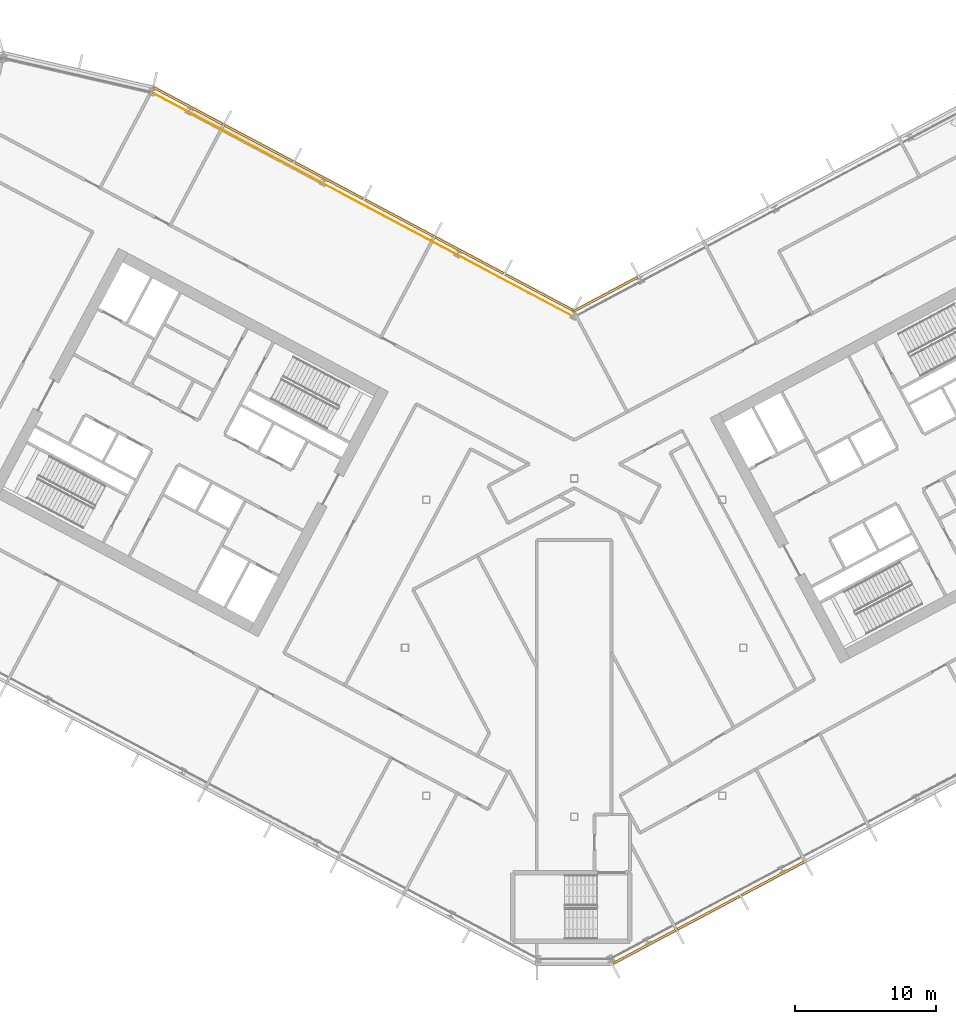
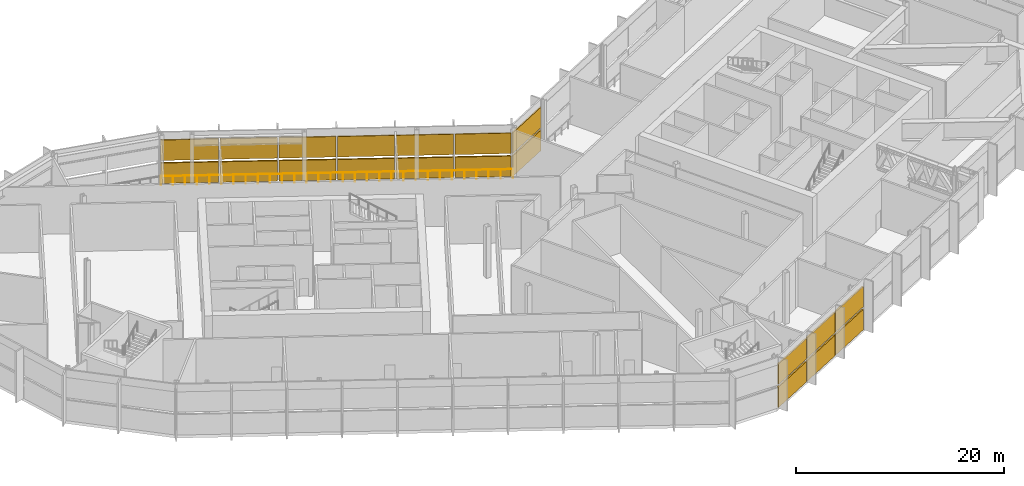
# One storey, part 27 of 33: 20 shading devices, 1 railing, 3 elements without a shape of their own.
"""IFC4 building model written with IfcOpenShell, lengths in metres."""

import ifcopenshell
import ifcopenshell.guid

model = None  # the IFC model being written
_history = None  # IfcOwnerHistory: only IFC2X3 demands one
_inside = {}  # id of a spatial element -> (the spatial element, [elements in it])
_under = {}  # id of a project, library or spatial element -> (it, [spatial elements below it])
_declared = {}  # id of a project -> (the project, [libraries it declares])
_typed = {}  # id of a type object -> (the type object, [elements of that type])
_made_of = {}  # id of a material, layer set ... -> (it, [elements and type objects made of it])


def new_model(schema):
    """Start an empty IFC model of exactly this schema.

    Asked for "IFC4X3", IfcOpenShell would pick the latest addendum, in which some entities
    have other attributes; the version numbers below select the first issue.
    IFC2X3 requires an IfcOwnerHistory on every rooted entity: one is made here for all.
    """
    global model, _history
    if schema == "IFC4X3":
        model = ifcopenshell.file(schema_version=(4, 3, 0, 0))
    else:
        model = ifcopenshell.file(schema=schema)
    _inside.clear()
    _under.clear()
    _declared.clear()
    _typed.clear()
    _made_of.clear()
    _history = None
    if model.schema == "IFC2X3":
        org = make("IfcOrganization", Name="unknown")
        user = make(
            "IfcPersonAndOrganization",
            ThePerson=make("IfcPerson", FamilyName="unknown"),
            TheOrganization=org,
        )
        app = make(
            "IfcApplication",
            ApplicationDeveloper=org,
            Version="unknown",
            ApplicationFullName="unknown",
            ApplicationIdentifier="unknown",
        )
        _history = make(
            "IfcOwnerHistory",
            OwningUser=user,
            OwningApplication=app,
            ChangeAction="ADDED",
            CreationDate=0,
        )
    return model


def make(cls, **values):
    """One entity of the class cls with the attributes given. An attribute that is None is left unset."""
    return model.create_entity(
        cls, **{name: value for name, value in values.items() if value is not None}
    )


def rooted(cls, **values):
    """An entity with a GlobalId (a new one), such as an element, a storey or a relation."""
    return make(cls, GlobalId=ifcopenshell.guid.new(), OwnerHistory=_history, **values)


def si_unit(unit_type, name, prefix=None):
    """IfcSIUnit, for example si_unit("LENGTHUNIT", "METRE", prefix="MILLI")."""
    return make("IfcSIUnit", UnitType=unit_type, Prefix=prefix, Name=name)


def assignment(units):
    """IfcUnitAssignment: the units of a project."""
    return None if units is None else make("IfcUnitAssignment", Units=units)


def point(xyz):
    """IfcCartesianPoint."""
    return None if xyz is None else make("IfcCartesianPoint", Coordinates=xyz)


def direction(xyz):
    """IfcDirection."""
    return None if xyz is None else make("IfcDirection", DirectionRatios=xyz)


def frame(location, z_axis=None, x_axis=None):
    """IfcAxis2Placement3D, a coordinate frame: its origin and axes. An axis left out is left unset."""
    return make(
        "IfcAxis2Placement3D",
        Location=point(location),
        Axis=direction(z_axis),
        RefDirection=direction(x_axis),
    )


def frame_2d(location, x_axis=None):
    """IfcAxis2Placement2D, a coordinate frame in the plane: its origin and x axis."""
    return make(
        "IfcAxis2Placement2D", Location=point(location), RefDirection=direction(x_axis)
    )


def origin():
    """The frame at (0, 0, 0) with its axes left unset."""
    return frame((0.0, 0.0, 0.0))


def origin_2d():
    """The frame at (0, 0) in the plane with its x axis left unset."""
    return frame_2d((0.0, 0.0))


def place(relative_to, where):
    """IfcLocalPlacement: puts the frame where relative to a parent placement (None: the world)."""
    return make(
        "IfcLocalPlacement", PlacementRelTo=relative_to, RelativePlacement=where
    )


def context(
    kind, dimensions, precision=None, world=None, true_north=None, identifier=None
):
    """IfcGeometricRepresentationContext, for example the 3D "Model" context."""
    return make(
        "IfcGeometricRepresentationContext",
        ContextIdentifier=identifier,
        ContextType=kind,
        CoordinateSpaceDimension=dimensions,
        Precision=precision,
        WorldCoordinateSystem=world,
        TrueNorth=true_north,
    )


def subcontext(parent, identifier, kind, view, scale=None):
    """IfcGeometricRepresentationSubContext, for example "Body" below "Model"."""
    return make(
        "IfcGeometricRepresentationSubContext",
        ContextIdentifier=identifier,
        ContextType=kind,
        ParentContext=parent,
        TargetScale=scale,
        TargetView=view,
    )


def project(units=None, contexts=None):
    """IfcProject with its units and contexts."""
    return rooted(
        "IfcProject",
        Name="project",
        RepresentationContexts=contexts,
        UnitsInContext=assignment(units),
    )


def spatial(cls, under=None, at=None, **own):
    """A site, building, storey or space (cls), placed at a placement, below another one or the project."""
    s = rooted(cls, ObjectPlacement=at, **own)
    if under is not None:
        _under.setdefault(under.id(), (under, []))[1].append(s)
    return s


def polyline(points):
    """IfcPolyline through the points."""
    return make("IfcPolyline", Points=[point(p) for p in points])


def profile(cls, at=None, kind="AREA", **sizes):
    """A parametric profile (cls). Its sizes go by their IFC names, for example OverallWidth=200.0."""
    return make(cls, ProfileType=kind, Position=at, **sizes)


def rectangle(**sizes):
    """IfcRectangleProfileDef."""
    return profile("IfcRectangleProfileDef", **sizes)


def outline(outer, holes=None, kind="AREA"):
    """IfcArbitraryClosedProfileDef: a profile drawn as a closed curve; with holes, ...WithVoids."""
    if holes is None:
        return make("IfcArbitraryClosedProfileDef", ProfileType=kind, OuterCurve=outer)
    return make(
        "IfcArbitraryProfileDefWithVoids",
        ProfileType=kind,
        OuterCurve=outer,
        InnerCurves=holes,
    )


def extrude(swept, where, along, depth):
    """IfcExtrudedAreaSolid: the profile swept, set in the frame where, extruded along a direction by depth."""
    return make(
        "IfcExtrudedAreaSolid",
        SweptArea=swept,
        Position=where,
        ExtrudedDirection=direction(along),
        Depth=depth,
    )


def shape(context_of_items, identifier, shape_type, items):
    """IfcShapeRepresentation: the items that make up one representation, for example the "Body"."""
    return make(
        "IfcShapeRepresentation",
        ContextOfItems=context_of_items,
        RepresentationIdentifier=identifier,
        RepresentationType=shape_type,
        Items=items,
    )


def material(Name=None, Category=None):
    """IfcMaterial."""
    return make("IfcMaterial", Name=Name, Category=Category)


def layer(
    of_material, thickness, ventilated=None, Name=None, Category=None, Priority=None
):
    """IfcMaterialLayer: one layer of a wall or slab, of a material (None: an air gap)."""
    return make(
        "IfcMaterialLayer",
        Material=of_material,
        LayerThickness=thickness,
        IsVentilated=ventilated,
        Name=Name,
        Category=Category,
        Priority=Priority,
    )


def layer_set(layers, Name=None):
    """IfcMaterialLayerSet."""
    return make("IfcMaterialLayerSet", MaterialLayers=layers, LayerSetName=Name)


def made_of(thing, what):
    """Note that an element or type object is made of a material, layer set ...; save() writes the relation."""
    if what is not None:
        _made_of.setdefault(what.id(), (what, []))[1].append(thing)
    return thing


def type_object(cls, material=None, **own):
    """A type object (cls), such as IfcWallType, which elements share."""
    return made_of(rooted(cls, **own), material)


def element(
    cls,
    number,
    at=None,
    inside=None,
    cuts=None,
    type_object=None,
    material=None,
    context=None,
    identifier="Body",
    shape_type=None,
    held_by="IfcProductDefinitionShape",
    body=None,
    shapes=None,
    **own,
):
    """One element of the class cls, such as IfcWall. Its Tag is "e" and its number.

    at: its placement. inside: the storey or other place that contains it. cuts: it is an
    opening in that element (IfcRelVoidsElement). A single representation is given by context,
    identifier, shape_type and body (its items); several are given by shapes. held_by: the class
    of the entity that holds the representations. save() writes the other relations.
    """
    e = rooted(cls, Tag="e%d" % number, ObjectPlacement=at, **own)
    if body is not None:
        shapes = [shape(context, identifier, shape_type, body)]
    if shapes is not None:
        e.Representation = make(held_by, Representations=shapes)
    if inside is not None:
        _inside.setdefault(inside.id(), (inside, []))[1].append(e)
    if cuts is not None:
        rooted(
            "IfcRelVoidsElement", RelatingBuildingElement=cuts, RelatedOpeningElement=e
        )
    if type_object is not None:
        _typed.setdefault(type_object.id(), (type_object, []))[1].append(e)
    return made_of(e, material)


def aggregate(whole, parts):
    """IfcRelAggregates: a whole, such as a stair, and the parts it consists of."""
    return rooted("IfcRelAggregates", RelatingObject=whole, RelatedObjects=parts)


def save(model, path):
    """Write the relations noted so far, then the file.

    IfcRelAggregates (storeys below a building ...), IfcRelContainedInSpatialStructure (elements
    in a storey), IfcRelDefinesByType, IfcRelAssociatesMaterial and IfcRelDeclares: one each for
    every whole, place, type object, material and project.
    """
    for whole, parts in _under.values():
        aggregate(whole, parts)
    for where, things in _inside.values():
        rooted(
            "IfcRelContainedInSpatialStructure",
            RelatedElements=things,
            RelatingStructure=where,
        )
    for kind, things in _typed.values():
        rooted("IfcRelDefinesByType", RelatedObjects=things, RelatingType=kind)
    for what, things in _made_of.values():
        rooted("IfcRelAssociatesMaterial", RelatedObjects=things, RelatingMaterial=what)
    for by, libraries in _declared.values():
        rooted("IfcRelDeclares", RelatingContext=by, RelatedDefinitions=libraries)
    model.write(path)


model = new_model("IFC4")

# Units and contexts
model_context = context("Model", 3, precision=1e-05, world=origin(), true_north=direction((0.0, 1.0)))
body_context = subcontext(model_context, "Body", "Model", "MODEL_VIEW")
ifc_project = project(units=[si_unit("LENGTHUNIT", "METRE"), si_unit("AREAUNIT", "SQUARE_METRE"), si_unit("VOLUMEUNIT", "CUBIC_METRE"), si_unit("PLANEANGLEUNIT", "RADIAN"), si_unit("MASSUNIT", "GRAM", prefix="KILO")], contexts=[model_context])

# Site, building, storey
site_placement = place(None, origin())
site = spatial("IfcSite", under=ifc_project, at=site_placement, CompositionType="ELEMENT")
building_placement = place(site_placement, origin())
building = spatial("IfcBuilding", under=site, at=building_placement, Name="Cormorant Relay Tower", CompositionType="ELEMENT")
storey_placement = place(building_placement, frame((0.0, 0.0, 183.60009765625)))
storey = spatial("IfcBuildingStorey", under=building, at=storey_placement, Name="L39", CompositionType="ELEMENT", Elevation=183.60009765625)

# Railing
ifc_material_1 = material(Name="Stainless steel 316 guard", Category="steel")
railing_type = type_object("IfcRailingType", Name="Band louvre guard 1100", PredefinedType="GUARDRAIL", material=ifc_material_1)
railing_placement = place(storey_placement, frame((-0.140869140625, 23.51904296875, 0.0)))
element("IfcRailing", 1, at=railing_placement, inside=storey, type_object=railing_type, Name="CW4 guard 9", PredefinedType="GUARDRAIL", context=body_context, shape_type="SweptSolid", body=[
    extrude(outline(polyline([(0.022216796875, 0.00927734375), (0.00927734375, 0.022216796875), (-0.00927734375, 0.022216796875), (-0.022216796875, 0.00927734375), (-0.022216796875, -0.00927734375), (-0.00927734375, -0.022216796875), (0.00927734375, -0.022216796875), (0.022216796875, -0.00927734375), (0.022216796875, 0.00927734375)])), frame((0.0, 0.0, 1.076171875), z_axis=(-0.882946280328, 0.46947403129, 0.0), x_axis=(-0.46947403129, -0.882946280328, 0.0)), (0.0, 0.0, 1.0), 33.834228515625),
    extrude(outline(polyline([(0.019287109375, 0.008056640625), (0.008056640625, 0.019287109375), (-0.008056640625, 0.019287109375), (-0.019287109375, 0.008056640625), (-0.019287109375, -0.008056640625), (-0.008056640625, -0.019287109375), (0.008056640625, -0.019287109375), (0.019287109375, -0.008056640625), (0.019287109375, 0.008056640625)])), origin(), (0.0, 0.0, 1.0), 1.052001953125),
    extrude(outline(polyline([(0.019287109375, 0.008056640625), (0.008056640625, 0.019287109375), (-0.008056640625, 0.019287109375), (-0.019287109375, 0.008056640625), (-0.019287109375, -0.008056640625), (-0.008056640625, -0.019287109375), (0.008056640625, -0.019287109375), (0.019287109375, -0.008056640625), (0.019287109375, 0.008056640625)])), frame((-1.030029296875, 0.5478515625, 0.0)), (0.0, 0.0, 1.0), 1.052001953125),
    extrude(outline(polyline([(0.019287109375, 0.008056640625), (0.008056640625, 0.019287109375), (-0.008056640625, 0.019287109375), (-0.019287109375, 0.008056640625), (-0.019287109375, -0.008056640625), (-0.008056640625, -0.019287109375), (0.008056640625, -0.019287109375), (0.019287109375, -0.008056640625), (0.019287109375, 0.008056640625)])), frame((-2.060302734375, 1.095458984375, 0.0)), (0.0, 0.0, 1.0), 1.052001953125),
    extrude(outline(polyline([(0.019287109375, 0.008056640625), (0.008056640625, 0.019287109375), (-0.008056640625, 0.019287109375), (-0.019287109375, 0.008056640625), (-0.019287109375, -0.008056640625), (-0.008056640625, -0.019287109375), (0.008056640625, -0.019287109375), (0.019287109375, -0.008056640625), (0.019287109375, 0.008056640625)])), frame((-3.09033203125, 1.643310546875, 0.0)), (0.0, 0.0, 1.0), 1.052001953125),
    extrude(outline(polyline([(0.019287109375, 0.008056640625), (0.008056640625, 0.019287109375), (-0.008056640625, 0.019287109375), (-0.019287109375, 0.008056640625), (-0.019287109375, -0.008056640625), (-0.008056640625, -0.019287109375), (0.008056640625, -0.019287109375), (0.019287109375, -0.008056640625), (0.019287109375, 0.008056640625)])), frame((-4.12060546875, 2.19091796875, 0.0)), (0.0, 0.0, 1.0), 1.052001953125),
    extrude(outline(polyline([(0.019287109375, 0.008056640625), (0.008056640625, 0.019287109375), (-0.008056640625, 0.019287109375), (-0.019287109375, 0.008056640625), (-0.019287109375, -0.008056640625), (-0.008056640625, -0.019287109375), (0.008056640625, -0.019287109375), (0.019287109375, -0.008056640625), (0.019287109375, 0.008056640625)])), frame((-5.150634765625, 2.73876953125, 0.0)), (0.0, 0.0, 1.0), 1.052001953125),
    extrude(outline(polyline([(0.019287109375, 0.008056640625), (0.008056640625, 0.019287109375), (-0.008056640625, 0.019287109375), (-0.019287109375, 0.008056640625), (-0.019287109375, -0.008056640625), (-0.008056640625, -0.019287109375), (0.008056640625, -0.019287109375), (0.019287109375, -0.008056640625), (0.019287109375, 0.008056640625)])), frame((-6.1806640625, 3.286376953125, 0.0)), (0.0, 0.0, 1.0), 1.052001953125),
    extrude(outline(polyline([(0.019287109375, 0.008056640625), (0.008056640625, 0.019287109375), (-0.008056640625, 0.019287109375), (-0.019287109375, 0.008056640625), (-0.019287109375, -0.008056640625), (-0.008056640625, -0.019287109375), (0.008056640625, -0.019287109375), (0.019287109375, -0.008056640625), (0.019287109375, 0.008056640625)])), frame((-7.2109375, 3.834228515625, 0.0)), (0.0, 0.0, 1.0), 1.052001953125),
    extrude(outline(polyline([(0.019287109375, 0.008056640625), (0.008056640625, 0.019287109375), (-0.008056640625, 0.019287109375), (-0.019287109375, 0.008056640625), (-0.019287109375, -0.008056640625), (-0.008056640625, -0.019287109375), (0.008056640625, -0.019287109375), (0.019287109375, -0.008056640625), (0.019287109375, 0.008056640625)])), frame((-8.240966796875, 4.3818359375, 0.0)), (0.0, 0.0, 1.0), 1.052001953125),
    extrude(outline(polyline([(0.019287109375, 0.008056640625), (0.008056640625, 0.019287109375), (-0.008056640625, 0.019287109375), (-0.019287109375, 0.008056640625), (-0.019287109375, -0.008056640625), (-0.008056640625, -0.019287109375), (0.008056640625, -0.019287109375), (0.019287109375, -0.008056640625), (0.019287109375, 0.008056640625)])), frame((-9.271240234375, 4.9296875, 0.0)), (0.0, 0.0, 1.0), 1.052001953125),
    extrude(outline(polyline([(0.019287109375, 0.008056640625), (0.008056640625, 0.019287109375), (-0.008056640625, 0.019287109375), (-0.019287109375, 0.008056640625), (-0.019287109375, -0.008056640625), (-0.008056640625, -0.019287109375), (0.008056640625, -0.019287109375), (0.019287109375, -0.008056640625), (0.019287109375, 0.008056640625)])), frame((-10.30126953125, 5.477294921875, 0.0)), (0.0, 0.0, 1.0), 1.052001953125),
    extrude(outline(polyline([(0.019287109375, 0.008056640625), (0.008056640625, 0.019287109375), (-0.008056640625, 0.019287109375), (-0.019287109375, 0.008056640625), (-0.019287109375, -0.008056640625), (-0.008056640625, -0.019287109375), (0.008056640625, -0.019287109375), (0.019287109375, -0.008056640625), (0.019287109375, 0.008056640625)])), frame((-11.33154296875, 6.025146484375, 0.0)), (0.0, 0.0, 1.0), 1.052001953125),
    extrude(outline(polyline([(0.019287109375, 0.008056640625), (0.008056640625, 0.019287109375), (-0.008056640625, 0.019287109375), (-0.019287109375, 0.008056640625), (-0.019287109375, -0.008056640625), (-0.008056640625, -0.019287109375), (0.008056640625, -0.019287109375), (0.019287109375, -0.008056640625), (0.019287109375, 0.008056640625)])), frame((-12.361572265625, 6.57275390625, 0.0)), (0.0, 0.0, 1.0), 1.052001953125),
    extrude(outline(polyline([(0.019287109375, 0.008056640625), (0.008056640625, 0.019287109375), (-0.008056640625, 0.019287109375), (-0.019287109375, 0.008056640625), (-0.019287109375, -0.008056640625), (-0.008056640625, -0.019287109375), (0.008056640625, -0.019287109375), (0.019287109375, -0.008056640625), (0.019287109375, 0.008056640625)])), frame((-13.3916015625, 7.12060546875, 0.0)), (0.0, 0.0, 1.0), 1.052001953125),
    extrude(outline(polyline([(0.019287109375, 0.008056640625), (0.008056640625, 0.019287109375), (-0.008056640625, 0.019287109375), (-0.019287109375, 0.008056640625), (-0.019287109375, -0.008056640625), (-0.008056640625, -0.019287109375), (0.008056640625, -0.019287109375), (0.019287109375, -0.008056640625), (0.019287109375, 0.008056640625)])), frame((-14.421875, 7.668212890625, 0.0)), (0.0, 0.0, 1.0), 1.052001953125),
    extrude(outline(polyline([(0.019287109375, 0.008056640625), (0.008056640625, 0.019287109375), (-0.008056640625, 0.019287109375), (-0.019287109375, 0.008056640625), (-0.019287109375, -0.008056640625), (-0.008056640625, -0.019287109375), (0.008056640625, -0.019287109375), (0.019287109375, -0.008056640625), (0.019287109375, 0.008056640625)])), frame((-15.451904296875, 8.216064453125, 0.0)), (0.0, 0.0, 1.0), 1.052001953125),
    extrude(outline(polyline([(0.019287109375, 0.008056640625), (0.008056640625, 0.019287109375), (-0.008056640625, 0.019287109375), (-0.019287109375, 0.008056640625), (-0.019287109375, -0.008056640625), (-0.008056640625, -0.019287109375), (0.008056640625, -0.019287109375), (0.019287109375, -0.008056640625), (0.019287109375, 0.008056640625)])), frame((-16.482177734375, 8.763671875, 0.0)), (0.0, 0.0, 1.0), 1.052001953125),
    extrude(outline(polyline([(0.019287109375, 0.008056640625), (0.008056640625, 0.019287109375), (-0.008056640625, 0.019287109375), (-0.019287109375, 0.008056640625), (-0.019287109375, -0.008056640625), (-0.008056640625, -0.019287109375), (0.008056640625, -0.019287109375), (0.019287109375, -0.008056640625), (0.019287109375, 0.008056640625)])), frame((-17.51220703125, 9.3115234375, 0.0)), (0.0, 0.0, 1.0), 1.052001953125),
    extrude(outline(polyline([(0.019287109375, 0.008056640625), (0.008056640625, 0.019287109375), (-0.008056640625, 0.019287109375), (-0.019287109375, 0.008056640625), (-0.019287109375, -0.008056640625), (-0.008056640625, -0.019287109375), (0.008056640625, -0.019287109375), (0.019287109375, -0.008056640625), (0.019287109375, 0.008056640625)])), frame((-18.542236328125, 9.859130859375, 0.0)), (0.0, 0.0, 1.0), 1.052001953125),
    extrude(outline(polyline([(0.019287109375, 0.008056640625), (0.008056640625, 0.019287109375), (-0.008056640625, 0.019287109375), (-0.019287109375, 0.008056640625), (-0.019287109375, -0.008056640625), (-0.008056640625, -0.019287109375), (0.008056640625, -0.019287109375), (0.019287109375, -0.008056640625), (0.019287109375, 0.008056640625)])), frame((-19.572509765625, 10.406982421875, 0.0)), (0.0, 0.0, 1.0), 1.052001953125),
    extrude(outline(polyline([(0.019287109375, 0.008056640625), (0.008056640625, 0.019287109375), (-0.008056640625, 0.019287109375), (-0.019287109375, 0.008056640625), (-0.019287109375, -0.008056640625), (-0.008056640625, -0.019287109375), (0.008056640625, -0.019287109375), (0.019287109375, -0.008056640625), (0.019287109375, 0.008056640625)])), frame((-20.6025390625, 10.95458984375, 0.0)), (0.0, 0.0, 1.0), 1.052001953125),
    extrude(outline(polyline([(0.019287109375, 0.008056640625), (0.008056640625, 0.019287109375), (-0.008056640625, 0.019287109375), (-0.019287109375, 0.008056640625), (-0.019287109375, -0.008056640625), (-0.008056640625, -0.019287109375), (0.008056640625, -0.019287109375), (0.019287109375, -0.008056640625), (0.019287109375, 0.008056640625)])), frame((-21.6328125, 11.50244140625, 0.0)), (0.0, 0.0, 1.0), 1.052001953125),
    extrude(outline(polyline([(0.019287109375, 0.008056640625), (0.008056640625, 0.019287109375), (-0.008056640625, 0.019287109375), (-0.019287109375, 0.008056640625), (-0.019287109375, -0.008056640625), (-0.008056640625, -0.019287109375), (0.008056640625, -0.019287109375), (0.019287109375, -0.008056640625), (0.019287109375, 0.008056640625)])), frame((-22.662841796875, 12.050048828125, 0.0)), (0.0, 0.0, 1.0), 1.052001953125),
    extrude(outline(polyline([(0.019287109375, 0.008056640625), (0.008056640625, 0.019287109375), (-0.008056640625, 0.019287109375), (-0.019287109375, 0.008056640625), (-0.019287109375, -0.008056640625), (-0.008056640625, -0.019287109375), (0.008056640625, -0.019287109375), (0.019287109375, -0.008056640625), (0.019287109375, 0.008056640625)])), frame((-23.693115234375, 12.597900390625, 0.0)), (0.0, 0.0, 1.0), 1.052001953125),
    extrude(outline(polyline([(0.019287109375, 0.008056640625), (0.008056640625, 0.019287109375), (-0.008056640625, 0.019287109375), (-0.019287109375, 0.008056640625), (-0.019287109375, -0.008056640625), (-0.008056640625, -0.019287109375), (0.008056640625, -0.019287109375), (0.019287109375, -0.008056640625), (0.019287109375, 0.008056640625)])), frame((-24.72314453125, 13.1455078125, 0.0)), (0.0, 0.0, 1.0), 1.052001953125),
    extrude(outline(polyline([(0.019287109375, 0.008056640625), (0.008056640625, 0.019287109375), (-0.008056640625, 0.019287109375), (-0.019287109375, 0.008056640625), (-0.019287109375, -0.008056640625), (-0.008056640625, -0.019287109375), (0.008056640625, -0.019287109375), (0.019287109375, -0.008056640625), (0.019287109375, 0.008056640625)])), frame((-25.753173828125, 13.693359375, 0.0)), (0.0, 0.0, 1.0), 1.052001953125),
    extrude(outline(polyline([(0.019287109375, 0.008056640625), (0.008056640625, 0.019287109375), (-0.008056640625, 0.019287109375), (-0.019287109375, 0.008056640625), (-0.019287109375, -0.008056640625), (-0.008056640625, -0.019287109375), (0.008056640625, -0.019287109375), (0.019287109375, -0.008056640625), (0.019287109375, 0.008056640625)])), frame((-26.783447265625, 14.240966796875, 0.0)), (0.0, 0.0, 1.0), 1.052001953125),
    extrude(outline(polyline([(0.019287109375, 0.008056640625), (0.008056640625, 0.019287109375), (-0.008056640625, 0.019287109375), (-0.019287109375, 0.008056640625), (-0.019287109375, -0.008056640625), (-0.008056640625, -0.019287109375), (0.008056640625, -0.019287109375), (0.019287109375, -0.008056640625), (0.019287109375, 0.008056640625)])), frame((-27.8134765625, 14.788818359375, 0.0)), (0.0, 0.0, 1.0), 1.052001953125),
    extrude(outline(polyline([(0.019287109375, 0.008056640625), (0.008056640625, 0.019287109375), (-0.008056640625, 0.019287109375), (-0.019287109375, 0.008056640625), (-0.019287109375, -0.008056640625), (-0.008056640625, -0.019287109375), (0.008056640625, -0.019287109375), (0.019287109375, -0.008056640625), (0.019287109375, 0.008056640625)])), frame((-28.84375, 15.33642578125, 0.0)), (0.0, 0.0, 1.0), 1.052001953125),
    extrude(outline(polyline([(0.019287109375, 0.008056640625), (0.008056640625, 0.019287109375), (-0.008056640625, 0.019287109375), (-0.019287109375, 0.008056640625), (-0.019287109375, -0.008056640625), (-0.008056640625, -0.019287109375), (0.008056640625, -0.019287109375), (0.019287109375, -0.008056640625), (0.019287109375, 0.008056640625)])), frame((-29.873779296875, 15.88427734375, 0.0)), (0.0, 0.0, 1.0), 1.052001953125),
])

# Curtain wall, shading devices
ifc_material_2 = material(Name="Aluminium 6063-T6 anodised bronze", Category="aluminium")
ifc_layer = layer(ifc_material_2, 0.199951171875)
ifc_layer_set = layer_set([ifc_layer], Name="CW4 band louvre wall")
curtain_wall_type = type_object("IfcCurtainWallType", Name="CW4 band louvre wall", PredefinedType="NOTDEFINED", material=ifc_layer_set)
curtain_wall_1_placement = place(storey_placement, origin())
curtain_wall_1 = element("IfcCurtainWall", 2, at=curtain_wall_1_placement, inside=storey, type_object=curtain_wall_type, Name="CW4 curtain wall 2", PredefinedType="NOTDEFINED")
ifc_material_3 = material(Name="Aluminium 6063-T6 anodised bronze louvre", Category="aluminium")
shading_device_type = type_object("IfcShadingDeviceType", Name="CW4 bronze louvre bank 150 x 2400", PredefinedType="USERDEFINED", material=ifc_material_3)
shading_device_1_placement = place(storey_placement, frame((4.965087890625, -21.22900390625, 2.699951171875), z_axis=(0.0, 0.0, 1.0), x_axis=(0.882947592859, 0.469471562786, 0.0)))
shading_device_1 = element("IfcShadingDevice", 3, at=shading_device_1_placement, type_object=shading_device_type, Name="CW4 louvre bank U2.1", ObjectType="LOUVRE", PredefinedType="USERDEFINED", context=body_context, shape_type="SweptSolid", body=[
    extrude(rectangle(XDim=5.0166015625, YDim=0.14990234375, at=origin_2d()), origin(), (0.0, 0.0, 1.0), 2.39990234375),
])
shading_device_2_placement = place(storey_placement, frame((4.965087890625, -21.22900390625, 0.0), z_axis=(0.0, 0.0, 1.0), x_axis=(0.882947592859, 0.469471562786, 0.0)))
shading_device_2 = element("IfcShadingDevice", 4, at=shading_device_2_placement, type_object=shading_device_type, Name="CW4 louvre bank D2.1", ObjectType="LOUVRE", PredefinedType="USERDEFINED", context=body_context, shape_type="SweptSolid", body=[
    extrude(rectangle(XDim=5.0166015625, YDim=0.14990234375, at=origin_2d()), origin(), (0.0, 0.0, 1.0), 2.39990234375),
])
shading_device_3_placement = place(storey_placement, frame((9.52685546875, -18.803466796875, 2.699951171875), z_axis=(0.0, 0.0, 1.0), x_axis=(0.882947592859, 0.469471562786, 0.0)))
shading_device_3 = element("IfcShadingDevice", 5, at=shading_device_3_placement, type_object=shading_device_type, Name="CW4 louvre bank U2.2", ObjectType="LOUVRE", PredefinedType="USERDEFINED", context=body_context, shape_type="SweptSolid", body=[
    extrude(rectangle(XDim=5.0166015625, YDim=0.14990234375, at=origin_2d()), origin(), (0.0, 0.0, 1.0), 2.39990234375),
])
shading_device_4_placement = place(storey_placement, frame((9.52685546875, -18.803466796875, 0.0), z_axis=(0.0, 0.0, 1.0), x_axis=(0.882947592859, 0.469471562786, 0.0)))
shading_device_4 = element("IfcShadingDevice", 6, at=shading_device_4_placement, type_object=shading_device_type, Name="CW4 louvre bank D2.2", ObjectType="LOUVRE", PredefinedType="USERDEFINED", context=body_context, shape_type="SweptSolid", body=[
    extrude(rectangle(XDim=5.0166015625, YDim=0.14990234375, at=origin_2d()), origin(), (0.0, 0.0, 1.0), 2.39990234375),
])
shading_device_5_placement = place(storey_placement, frame((14.088623046875, -16.3779296875, 2.699951171875), z_axis=(0.0, 0.0, 1.0), x_axis=(0.882947592859, 0.469471562786, 0.0)))
shading_device_5 = element("IfcShadingDevice", 7, at=shading_device_5_placement, type_object=shading_device_type, Name="CW4 louvre bank U2.3", ObjectType="LOUVRE", PredefinedType="USERDEFINED", context=body_context, shape_type="SweptSolid", body=[
    extrude(rectangle(XDim=5.0166015625, YDim=0.14990234375, at=origin_2d()), origin(), (0.0, 0.0, 1.0), 2.39990234375),
])
shading_device_6_placement = place(storey_placement, frame((14.088623046875, -16.3779296875, 0.0), z_axis=(0.0, 0.0, 1.0), x_axis=(0.882947592859, 0.469471562786, 0.0)))
shading_device_6 = element("IfcShadingDevice", 8, at=shading_device_6_placement, type_object=shading_device_type, Name="CW4 louvre bank D2.3", ObjectType="LOUVRE", PredefinedType="USERDEFINED", context=body_context, shape_type="SweptSolid", body=[
    extrude(rectangle(XDim=5.0166015625, YDim=0.14990234375, at=origin_2d()), origin(), (0.0, 0.0, 1.0), 2.39990234375),
])
aggregate(curtain_wall_1, [shading_device_1, shading_device_2, shading_device_3, shading_device_4, shading_device_5, shading_device_6])

curtain_wall_2_placement = place(storey_placement, origin())
curtain_wall_2 = element("IfcCurtainWall", 9, at=curtain_wall_2_placement, inside=storey, type_object=curtain_wall_type, Name="CW4 curtain wall 8", PredefinedType="NOTDEFINED")
shading_device_7_placement = place(storey_placement, frame((2.240234375, 25.06005859375, 2.699951171875), z_axis=(0.0, 0.0, 1.0), x_axis=(-0.882947592859, -0.469471562786, 0.0)))
shading_device_7 = element("IfcShadingDevice", 10, at=shading_device_7_placement, type_object=shading_device_type, Name="CW4 louvre bank U8.8", ObjectType="LOUVRE", PredefinedType="USERDEFINED", context=body_context, shape_type="SweptSolid", body=[
    extrude(rectangle(XDim=5.154296875, YDim=0.14990234375, at=origin_2d()), origin(), (0.0, 0.0, 1.0), 2.39990234375),
])
shading_device_8_placement = place(storey_placement, frame((2.240234375, 25.06005859375, 0.0), z_axis=(0.0, 0.0, 1.0), x_axis=(-0.882947592859, -0.469471562786, 0.0)))
shading_device_8 = element("IfcShadingDevice", 11, at=shading_device_8_placement, type_object=shading_device_type, Name="CW4 louvre bank D8.8", ObjectType="LOUVRE", PredefinedType="USERDEFINED", context=body_context, shape_type="SweptSolid", body=[
    extrude(rectangle(XDim=5.154296875, YDim=0.14990234375, at=origin_2d()), origin(), (0.0, 0.0, 1.0), 2.39990234375),
])
aggregate(curtain_wall_2, [shading_device_7, shading_device_8])

curtain_wall_3_placement = place(storey_placement, origin())
curtain_wall_3 = element("IfcCurtainWall", 12, at=curtain_wall_3_placement, inside=storey, type_object=curtain_wall_type, Name="CW4 curtain wall 9", PredefinedType="NOTDEFINED")
shading_device_9_placement = place(storey_placement, frame((-2.4873046875, 25.19140625, 2.699951171875), z_axis=(0.0, 0.0, 1.0), x_axis=(-0.882947592859, 0.469471562786, 0.0)))
shading_device_9 = element("IfcShadingDevice", 13, at=shading_device_9_placement, type_object=shading_device_type, Name="CW4 louvre bank U9.1", ObjectType="LOUVRE", PredefinedType="USERDEFINED", context=body_context, shape_type="SweptSolid", body=[
    extrude(rectangle(XDim=5.4140625, YDim=0.14990234375, at=origin_2d()), origin(), (0.0, 0.0, 1.0), 2.39990234375),
])
shading_device_10_placement = place(storey_placement, frame((-2.4873046875, 25.19140625, 0.0), z_axis=(0.0, 0.0, 1.0), x_axis=(-0.882947592859, 0.469471562786, 0.0)))
shading_device_10 = element("IfcShadingDevice", 14, at=shading_device_10_placement, type_object=shading_device_type, Name="CW4 louvre bank D9.1", ObjectType="LOUVRE", PredefinedType="USERDEFINED", context=body_context, shape_type="SweptSolid", body=[
    extrude(rectangle(XDim=5.4140625, YDim=0.14990234375, at=origin_2d()), origin(), (0.0, 0.0, 1.0), 2.39990234375),
])
shading_device_11_placement = place(storey_placement, frame((-7.43310546875, 27.8212890625, 2.699951171875), z_axis=(0.0, 0.0, 1.0), x_axis=(-0.882947592859, 0.469471562786, 0.0)))
shading_device_11 = element("IfcShadingDevice", 15, at=shading_device_11_placement, type_object=shading_device_type, Name="CW4 louvre bank U9.2", ObjectType="LOUVRE", PredefinedType="USERDEFINED", context=body_context, shape_type="SweptSolid", body=[
    extrude(rectangle(XDim=5.489013671875, YDim=0.14990234375, at=origin_2d()), origin(), (0.0, 0.0, 1.0), 2.39990234375),
])
shading_device_12_placement = place(storey_placement, frame((-7.43310546875, 27.8212890625, 0.0), z_axis=(0.0, 0.0, 1.0), x_axis=(-0.882947592859, 0.469471562786, 0.0)))
shading_device_12 = element("IfcShadingDevice", 16, at=shading_device_12_placement, type_object=shading_device_type, Name="CW4 louvre bank D9.2", ObjectType="LOUVRE", PredefinedType="USERDEFINED", context=body_context, shape_type="SweptSolid", body=[
    extrude(rectangle(XDim=5.489013671875, YDim=0.14990234375, at=origin_2d()), origin(), (0.0, 0.0, 1.0), 2.39990234375),
])
shading_device_13_placement = place(storey_placement, frame((-12.412109375, 30.468505859375, 2.699951171875), z_axis=(0.0, 0.0, 1.0), x_axis=(-0.882947592859, 0.469471562786, 0.0)))
shading_device_13 = element("IfcShadingDevice", 17, at=shading_device_13_placement, type_object=shading_device_type, Name="CW4 louvre bank U9.3", ObjectType="LOUVRE", PredefinedType="USERDEFINED", context=body_context, shape_type="SweptSolid", body=[
    extrude(rectangle(XDim=5.489013671875, YDim=0.14990234375, at=origin_2d()), origin(), (0.0, 0.0, 1.0), 2.39990234375),
])
shading_device_14_placement = place(storey_placement, frame((-12.412109375, 30.468505859375, 0.0), z_axis=(0.0, 0.0, 1.0), x_axis=(-0.882947592859, 0.469471562786, 0.0)))
shading_device_14 = element("IfcShadingDevice", 18, at=shading_device_14_placement, type_object=shading_device_type, Name="CW4 louvre bank D9.3", ObjectType="LOUVRE", PredefinedType="USERDEFINED", context=body_context, shape_type="SweptSolid", body=[
    extrude(rectangle(XDim=5.489013671875, YDim=0.14990234375, at=origin_2d()), origin(), (0.0, 0.0, 1.0), 2.39990234375),
])
shading_device_15_placement = place(storey_placement, frame((-17.39111328125, 33.115966796875, 2.699951171875), z_axis=(0.0, 0.0, 1.0), x_axis=(-0.882947592859, 0.469471562786, 0.0)))
shading_device_15 = element("IfcShadingDevice", 19, at=shading_device_15_placement, type_object=shading_device_type, Name="CW4 louvre bank U9.4", ObjectType="LOUVRE", PredefinedType="USERDEFINED", context=body_context, shape_type="SweptSolid", body=[
    extrude(rectangle(XDim=5.489013671875, YDim=0.14990234375, at=origin_2d()), origin(), (0.0, 0.0, 1.0), 2.39990234375),
])
shading_device_16_placement = place(storey_placement, frame((-17.39111328125, 33.115966796875, 0.0), z_axis=(0.0, 0.0, 1.0), x_axis=(-0.882947592859, 0.469471562786, 0.0)))
shading_device_16 = element("IfcShadingDevice", 20, at=shading_device_16_placement, type_object=shading_device_type, Name="CW4 louvre bank D9.4", ObjectType="LOUVRE", PredefinedType="USERDEFINED", context=body_context, shape_type="SweptSolid", body=[
    extrude(rectangle(XDim=5.489013671875, YDim=0.14990234375, at=origin_2d()), origin(), (0.0, 0.0, 1.0), 2.39990234375),
])
shading_device_17_placement = place(storey_placement, frame((-22.3701171875, 35.76318359375, 2.699951171875), z_axis=(0.0, 0.0, 1.0), x_axis=(-0.882947592859, 0.469471562786, 0.0)))
shading_device_17 = element("IfcShadingDevice", 21, at=shading_device_17_placement, type_object=shading_device_type, Name="CW4 louvre bank U9.5", ObjectType="LOUVRE", PredefinedType="USERDEFINED", context=body_context, shape_type="SweptSolid", body=[
    extrude(rectangle(XDim=5.489013671875, YDim=0.14990234375, at=origin_2d()), origin(), (0.0, 0.0, 1.0), 2.39990234375),
])
shading_device_18_placement = place(storey_placement, frame((-22.3701171875, 35.76318359375, 0.0), z_axis=(0.0, 0.0, 1.0), x_axis=(-0.882947592859, 0.469471562786, 0.0)))
shading_device_18 = element("IfcShadingDevice", 22, at=shading_device_18_placement, type_object=shading_device_type, Name="CW4 louvre bank D9.5", ObjectType="LOUVRE", PredefinedType="USERDEFINED", context=body_context, shape_type="SweptSolid", body=[
    extrude(rectangle(XDim=5.489013671875, YDim=0.14990234375, at=origin_2d()), origin(), (0.0, 0.0, 1.0), 2.39990234375),
])
shading_device_19_placement = place(storey_placement, frame((-27.382080078125, 38.42822265625, 2.699951171875), z_axis=(0.0, 0.0, 1.0), x_axis=(-0.882947592859, 0.469471562786, 0.0)))
shading_device_19 = element("IfcShadingDevice", 23, at=shading_device_19_placement, type_object=shading_device_type, Name="CW4 louvre bank U9.6", ObjectType="LOUVRE", PredefinedType="USERDEFINED", context=body_context, shape_type="SweptSolid", body=[
    extrude(rectangle(XDim=5.56396484375, YDim=0.14990234375, at=origin_2d()), origin(), (0.0, 0.0, 1.0), 2.39990234375),
])
shading_device_20_placement = place(storey_placement, frame((-27.382080078125, 38.42822265625, 0.0), z_axis=(0.0, 0.0, 1.0), x_axis=(-0.882947592859, 0.469471562786, 0.0)))
shading_device_20 = element("IfcShadingDevice", 24, at=shading_device_20_placement, type_object=shading_device_type, Name="CW4 louvre bank D9.6", ObjectType="LOUVRE", PredefinedType="USERDEFINED", context=body_context, shape_type="SweptSolid", body=[
    extrude(rectangle(XDim=5.56396484375, YDim=0.14990234375, at=origin_2d()), origin(), (0.0, 0.0, 1.0), 2.39990234375),
])
aggregate(curtain_wall_3, [shading_device_9, shading_device_10, shading_device_11, shading_device_12, shading_device_13, shading_device_14, shading_device_15, shading_device_16, shading_device_17, shading_device_18, shading_device_19, shading_device_20])

save(model, "model.ifc")
